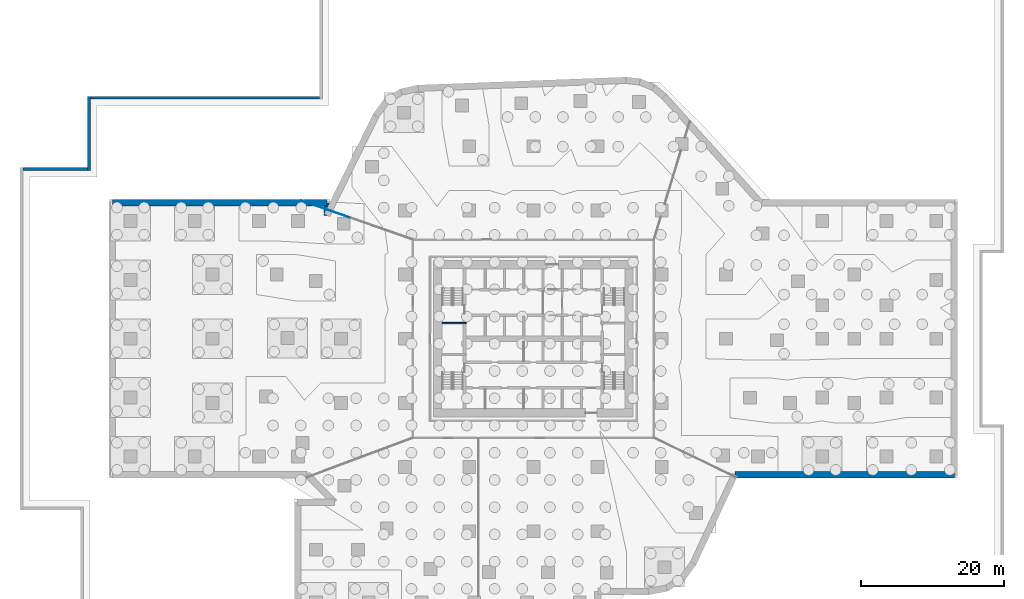
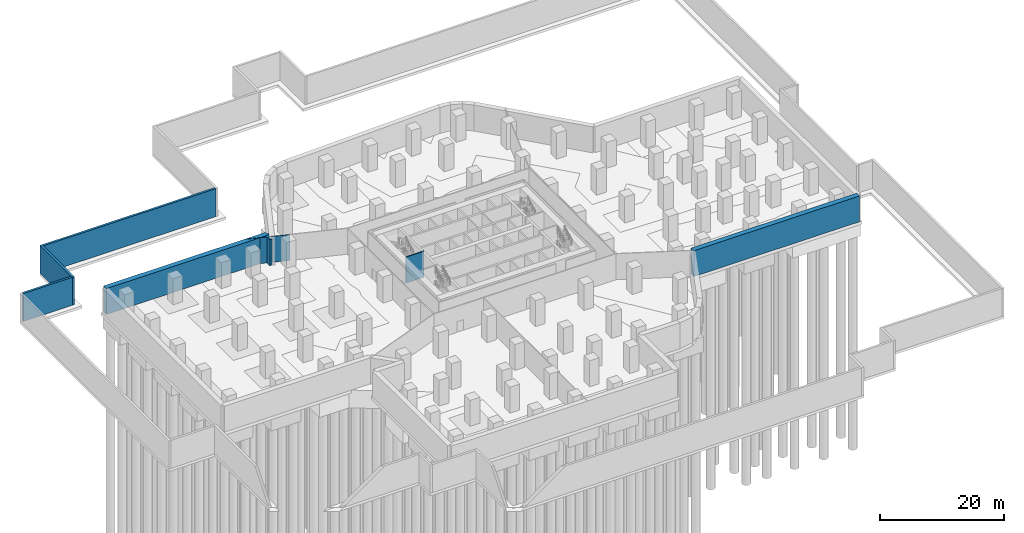
# One storey, part 8 of 12: 8 walls.
"""IFC4 building model written with IfcOpenShell, lengths in metres."""

import ifcopenshell
import ifcopenshell.guid

model = None  # the IFC model being written
_history = None  # IfcOwnerHistory: only IFC2X3 demands one
_inside = {}  # id of a spatial element -> (the spatial element, [elements in it])
_under = {}  # id of a project, library or spatial element -> (it, [spatial elements below it])
_declared = {}  # id of a project -> (the project, [libraries it declares])
_typed = {}  # id of a type object -> (the type object, [elements of that type])
_made_of = {}  # id of a material, layer set ... -> (it, [elements and type objects made of it])


def new_model(schema):
    """Start an empty IFC model of exactly this schema.

    Asked for "IFC4X3", IfcOpenShell would pick the latest addendum, in which some entities
    have other attributes; the version numbers below select the first issue.
    IFC2X3 requires an IfcOwnerHistory on every rooted entity: one is made here for all.
    """
    global model, _history
    if schema == "IFC4X3":
        model = ifcopenshell.file(schema_version=(4, 3, 0, 0))
    else:
        model = ifcopenshell.file(schema=schema)
    _inside.clear()
    _under.clear()
    _declared.clear()
    _typed.clear()
    _made_of.clear()
    _history = None
    if model.schema == "IFC2X3":
        org = make("IfcOrganization", Name="unknown")
        user = make(
            "IfcPersonAndOrganization",
            ThePerson=make("IfcPerson", FamilyName="unknown"),
            TheOrganization=org,
        )
        app = make(
            "IfcApplication",
            ApplicationDeveloper=org,
            Version="unknown",
            ApplicationFullName="unknown",
            ApplicationIdentifier="unknown",
        )
        _history = make(
            "IfcOwnerHistory",
            OwningUser=user,
            OwningApplication=app,
            ChangeAction="ADDED",
            CreationDate=0,
        )
    return model


def make(cls, **values):
    """One entity of the class cls with the attributes given. An attribute that is None is left unset."""
    return model.create_entity(
        cls, **{name: value for name, value in values.items() if value is not None}
    )


def rooted(cls, **values):
    """An entity with a GlobalId (a new one), such as an element, a storey or a relation."""
    return make(cls, GlobalId=ifcopenshell.guid.new(), OwnerHistory=_history, **values)


def si_unit(unit_type, name, prefix=None):
    """IfcSIUnit, for example si_unit("LENGTHUNIT", "METRE", prefix="MILLI")."""
    return make("IfcSIUnit", UnitType=unit_type, Prefix=prefix, Name=name)


def assignment(units):
    """IfcUnitAssignment: the units of a project."""
    return None if units is None else make("IfcUnitAssignment", Units=units)


def point(xyz):
    """IfcCartesianPoint."""
    return None if xyz is None else make("IfcCartesianPoint", Coordinates=xyz)


def direction(xyz):
    """IfcDirection."""
    return None if xyz is None else make("IfcDirection", DirectionRatios=xyz)


def frame(location, z_axis=None, x_axis=None):
    """IfcAxis2Placement3D, a coordinate frame: its origin and axes. An axis left out is left unset."""
    return make(
        "IfcAxis2Placement3D",
        Location=point(location),
        Axis=direction(z_axis),
        RefDirection=direction(x_axis),
    )


def frame_2d(location, x_axis=None):
    """IfcAxis2Placement2D, a coordinate frame in the plane: its origin and x axis."""
    return make(
        "IfcAxis2Placement2D", Location=point(location), RefDirection=direction(x_axis)
    )


def origin():
    """The frame at (0, 0, 0) with its axes left unset."""
    return frame((0.0, 0.0, 0.0))


def place(relative_to, where):
    """IfcLocalPlacement: puts the frame where relative to a parent placement (None: the world)."""
    return make(
        "IfcLocalPlacement", PlacementRelTo=relative_to, RelativePlacement=where
    )


def context(
    kind, dimensions, precision=None, world=None, true_north=None, identifier=None
):
    """IfcGeometricRepresentationContext, for example the 3D "Model" context."""
    return make(
        "IfcGeometricRepresentationContext",
        ContextIdentifier=identifier,
        ContextType=kind,
        CoordinateSpaceDimension=dimensions,
        Precision=precision,
        WorldCoordinateSystem=world,
        TrueNorth=true_north,
    )


def subcontext(parent, identifier, kind, view, scale=None):
    """IfcGeometricRepresentationSubContext, for example "Body" below "Model"."""
    return make(
        "IfcGeometricRepresentationSubContext",
        ContextIdentifier=identifier,
        ContextType=kind,
        ParentContext=parent,
        TargetScale=scale,
        TargetView=view,
    )


def project(units=None, contexts=None):
    """IfcProject with its units and contexts."""
    return rooted(
        "IfcProject",
        Name="project",
        RepresentationContexts=contexts,
        UnitsInContext=assignment(units),
    )


def spatial(cls, under=None, at=None, **own):
    """A site, building, storey or space (cls), placed at a placement, below another one or the project."""
    s = rooted(cls, ObjectPlacement=at, **own)
    if under is not None:
        _under.setdefault(under.id(), (under, []))[1].append(s)
    return s


def polyline(points):
    """IfcPolyline through the points."""
    return make("IfcPolyline", Points=[point(p) for p in points])


def profile(cls, at=None, kind="AREA", **sizes):
    """A parametric profile (cls). Its sizes go by their IFC names, for example OverallWidth=200.0."""
    return make(cls, ProfileType=kind, Position=at, **sizes)


def rectangle(**sizes):
    """IfcRectangleProfileDef."""
    return profile("IfcRectangleProfileDef", **sizes)


def outline(outer, holes=None, kind="AREA"):
    """IfcArbitraryClosedProfileDef: a profile drawn as a closed curve; with holes, ...WithVoids."""
    if holes is None:
        return make("IfcArbitraryClosedProfileDef", ProfileType=kind, OuterCurve=outer)
    return make(
        "IfcArbitraryProfileDefWithVoids",
        ProfileType=kind,
        OuterCurve=outer,
        InnerCurves=holes,
    )


def extrude(swept, where, along, depth):
    """IfcExtrudedAreaSolid: the profile swept, set in the frame where, extruded along a direction by depth."""
    return make(
        "IfcExtrudedAreaSolid",
        SweptArea=swept,
        Position=where,
        ExtrudedDirection=direction(along),
        Depth=depth,
    )


def shape(context_of_items, identifier, shape_type, items):
    """IfcShapeRepresentation: the items that make up one representation, for example the "Body"."""
    return make(
        "IfcShapeRepresentation",
        ContextOfItems=context_of_items,
        RepresentationIdentifier=identifier,
        RepresentationType=shape_type,
        Items=items,
    )


def material(Name=None, Category=None):
    """IfcMaterial."""
    return make("IfcMaterial", Name=Name, Category=Category)


def layer(
    of_material, thickness, ventilated=None, Name=None, Category=None, Priority=None
):
    """IfcMaterialLayer: one layer of a wall or slab, of a material (None: an air gap)."""
    return make(
        "IfcMaterialLayer",
        Material=of_material,
        LayerThickness=thickness,
        IsVentilated=ventilated,
        Name=Name,
        Category=Category,
        Priority=Priority,
    )


def layer_set(layers, Name=None):
    """IfcMaterialLayerSet."""
    return make("IfcMaterialLayerSet", MaterialLayers=layers, LayerSetName=Name)


def made_of(thing, what):
    """Note that an element or type object is made of a material, layer set ...; save() writes the relation."""
    if what is not None:
        _made_of.setdefault(what.id(), (what, []))[1].append(thing)
    return thing


def type_object(cls, material=None, **own):
    """A type object (cls), such as IfcWallType, which elements share."""
    return made_of(rooted(cls, **own), material)


def element(
    cls,
    number,
    at=None,
    inside=None,
    cuts=None,
    type_object=None,
    material=None,
    context=None,
    identifier="Body",
    shape_type=None,
    held_by="IfcProductDefinitionShape",
    body=None,
    shapes=None,
    **own,
):
    """One element of the class cls, such as IfcWall. Its Tag is "e" and its number.

    at: its placement. inside: the storey or other place that contains it. cuts: it is an
    opening in that element (IfcRelVoidsElement). A single representation is given by context,
    identifier, shape_type and body (its items); several are given by shapes. held_by: the class
    of the entity that holds the representations. save() writes the other relations.
    """
    e = rooted(cls, Tag="e%d" % number, ObjectPlacement=at, **own)
    if body is not None:
        shapes = [shape(context, identifier, shape_type, body)]
    if shapes is not None:
        e.Representation = make(held_by, Representations=shapes)
    if inside is not None:
        _inside.setdefault(inside.id(), (inside, []))[1].append(e)
    if cuts is not None:
        rooted(
            "IfcRelVoidsElement", RelatingBuildingElement=cuts, RelatedOpeningElement=e
        )
    if type_object is not None:
        _typed.setdefault(type_object.id(), (type_object, []))[1].append(e)
    return made_of(e, material)


def aggregate(whole, parts):
    """IfcRelAggregates: a whole, such as a stair, and the parts it consists of."""
    return rooted("IfcRelAggregates", RelatingObject=whole, RelatedObjects=parts)


def save(model, path):
    """Write the relations noted so far, then the file.

    IfcRelAggregates (storeys below a building ...), IfcRelContainedInSpatialStructure (elements
    in a storey), IfcRelDefinesByType, IfcRelAssociatesMaterial and IfcRelDeclares: one each for
    every whole, place, type object, material and project.
    """
    for whole, parts in _under.values():
        aggregate(whole, parts)
    for where, things in _inside.values():
        rooted(
            "IfcRelContainedInSpatialStructure",
            RelatedElements=things,
            RelatingStructure=where,
        )
    for kind, things in _typed.values():
        rooted("IfcRelDefinesByType", RelatedObjects=things, RelatingType=kind)
    for what, things in _made_of.values():
        rooted("IfcRelAssociatesMaterial", RelatedObjects=things, RelatingMaterial=what)
    for by, libraries in _declared.values():
        rooted("IfcRelDeclares", RelatingContext=by, RelatedDefinitions=libraries)
    model.write(path)


model = new_model("IFC4")

# Units and contexts
model_context = context("Model", 3, precision=1e-05, world=origin(), true_north=direction((0.0, 1.0)))
body_context = subcontext(model_context, "Body", "Model", "MODEL_VIEW")
ifc_project = project(units=[si_unit("LENGTHUNIT", "METRE"), si_unit("AREAUNIT", "SQUARE_METRE"), si_unit("VOLUMEUNIT", "CUBIC_METRE"), si_unit("PLANEANGLEUNIT", "RADIAN"), si_unit("MASSUNIT", "GRAM", prefix="KILO")], contexts=[model_context])

# Site, building, storey
site_placement = place(None, origin())
site = spatial("IfcSite", under=ifc_project, at=site_placement, CompositionType="ELEMENT")
building_placement = place(site_placement, origin())
building = spatial("IfcBuilding", under=site, at=building_placement, Name="Dongbaek Canopy Tower", CompositionType="ELEMENT")
storey_placement = place(building_placement, frame((0.0, 0.0, -17.0)))
storey = spatial("IfcBuildingStorey", under=building, at=storey_placement, Name="B3", CompositionType="ELEMENT", Elevation=-17.0)

# Walls
ifc_material_1 = material(Name="Gypsum board partition, steel stud, 2 x 12.5 mm board", Category="steel")
ifc_layer_1 = layer(ifc_material_1, 0.10009765625)
ifc_layer_set_1 = layer_set([ifc_layer_1], Name="Partition 100 gypsum board")
wall_type_1 = type_object("IfcWallType", Name="Partition 100 gypsum board", PredefinedType="PARTITIONING", material=ifc_layer_set_1)
wall_1_placement = place(storey_placement, frame((-32.585205078125, 19.3798828125, 0.0), z_axis=(0.0, 0.0, 1.0), x_axis=(0.944040530472, -0.329829466279, 0.0)))
element("IfcWall", 1, at=wall_1_placement, inside=storey, type_object=wall_type_1, Name="Partition", PredefinedType="PARTITIONING", context=body_context, shape_type="SweptSolid", body=[
    extrude(rectangle(XDim=7.16064453125, YDim=0.10009765625, at=frame_2d((3.580322265625, 0.0))), origin(), (0.0, 0.0, 1.0), 5.10009765625),
])
ifc_material_2 = material(Name="Concrete C40/50", Category="concrete")
ifc_layer_2 = layer(ifc_material_2, 0.39990234375)
ifc_layer_set_2 = layer_set([ifc_layer_2], Name="Plaza plinth wall 400")
wall_type_2 = type_object("IfcWallType", Name="Plaza plinth wall 400", PredefinedType="SOLIDWALL", material=ifc_layer_set_2)
wall_2_placement = place(storey_placement, frame((-71.60009765625, 23.800048828125, 0.0), z_axis=(0.0, 0.0, 1.0), x_axis=(1.0, 0.0, 0.0)))
element("IfcWall", 2, at=wall_2_placement, inside=storey, type_object=wall_type_2, Name="Plaza plinth wall 70", PredefinedType="SOLIDWALL", context=body_context, shape_type="SweptSolid", body=[
    extrude(rectangle(XDim=9.10009765625, YDim=0.39990234375, at=frame_2d((4.550048828125, 0.0))), origin(), (0.0, 0.0, 1.0), 5.5),
])
wall_3_placement = place(storey_placement, frame((-62.300048828125, 23.60009765625, 0.0), z_axis=(0.0, 0.0, 1.0), x_axis=(0.0, 1.0, 0.0)))
element("IfcWall", 3, at=wall_3_placement, inside=storey, type_object=wall_type_2, Name="Plaza plinth wall 71", PredefinedType="SOLIDWALL", context=body_context, shape_type="SweptSolid", body=[
    extrude(rectangle(XDim=10.39990234375, YDim=0.39990234375, at=frame_2d((5.199951171875, 0.0))), origin(), (0.0, 0.0, 1.0), 5.5),
])
wall_4_placement = place(storey_placement, frame((-62.10009765625, 33.800048828125, 0.0), z_axis=(0.0, 0.0, 1.0), x_axis=(1.0, 0.0, 0.0)))
element("IfcWall", 4, at=wall_4_placement, inside=storey, type_object=wall_type_2, Name="Plaza plinth wall 72", PredefinedType="SOLIDWALL", context=body_context, shape_type="SweptSolid", body=[
    extrude(rectangle(XDim=32.10009765625, YDim=0.39990234375, at=frame_2d((16.050048828125, 0.0))), origin(), (0.0, 0.0, 1.0), 5.5),
])
ifc_material_3 = material(Name="Concrete C40", Category="concrete")
ifc_layer_3 = layer(ifc_material_3, 0.89990234375)
ifc_layer_set_3 = layer_set([ifc_layer_3], Name="RC RETAINING WALL 900 Concrete C40")
wall_type_3 = type_object("IfcWallType", Name="RC RETAINING WALL 900 Concrete C40", PredefinedType="SHEAR", material=ifc_layer_set_3)
wall_5_placement = place(storey_placement, frame((-59.050048828125, 19.050048828125, 0.0), z_axis=(0.0, 0.0, 1.0), x_axis=(1.0, 0.0, 0.0)))
element("IfcWall", 5, at=wall_5_placement, inside=storey, type_object=wall_type_3, Name="RWALL:B3:05", PredefinedType="SHEAR", context=body_context, shape_type="SweptSolid", body=[
    extrude(rectangle(XDim=30.10009765625, YDim=0.89990234375, at=frame_2d((15.050048828125, 0.0))), origin(), (0.0, 0.0, 1.0), 5.10009765625),
])
wall_6_placement = place(storey_placement, origin())
element("IfcWall", 6, at=wall_6_placement, inside=storey, type_object=wall_type_3, Name="RWALL:B3:06", PredefinedType="SHEAR", context=body_context, shape_type="SweptSolid", body=[
    extrude(outline(polyline([(-29.39990234375, 17.31689453125), (-28.949951171875, 17.31689453125), (-29.353759765625, 17.515380859375), (-28.59912109375, 19.050048828125), (-28.949951171875, 19.050048828125), (-28.949951171875, 18.60009765625), (-29.39990234375, 18.60009765625), (-29.39990234375, 17.31689453125)])), origin(), (0.0, 0.0, 1.0), 5.10009765625),
])
wall_7_placement = place(storey_placement, frame((59.050048828125, -19.050048828125, 0.0), z_axis=(0.0, 0.0, 1.0), x_axis=(-1.0, 0.0, 0.0)))
element("IfcWall", 7, at=wall_7_placement, inside=storey, type_object=wall_type_3, Name="RWALL:B3:18", PredefinedType="SHEAR", context=body_context, shape_type="SweptSolid", body=[
    extrude(rectangle(XDim=30.80615234375, YDim=0.89990234375, at=frame_2d((15.403076171875, 0.0))), origin(), (0.0, 0.0, 1.0), 5.10009765625),
])
ifc_material_4 = material(Name="Concrete C60/75", Category="concrete")
ifc_layer_4 = layer(ifc_material_4, 0.199951171875)
ifc_layer_set_4 = layer_set([ifc_layer_4], Name="Riser wall 200 Concrete C60/75")
wall_type_4 = type_object("IfcWallType", Name="Riser wall 200 Concrete C60/75", PredefinedType="SHEAR", material=ifc_layer_set_4)
wall_8_placement = place(storey_placement, frame((-9.449951171875, 2.199951171875, 0.0), z_axis=(0.0, 0.0, 1.0), x_axis=(-1.0, 0.0, 0.0)))
element("IfcWall", 8, at=wall_8_placement, inside=storey, type_object=wall_type_4, Name="Riser wall", PredefinedType="SHEAR", context=body_context, shape_type="SweptSolid", body=[
    extrude(rectangle(XDim=3.35009765625, YDim=0.199951171875, at=frame_2d((1.675048828125, 0.0))), origin(), (0.0, 0.0, 1.0), 5.10009765625),
])

save(model, "model.ifc")
